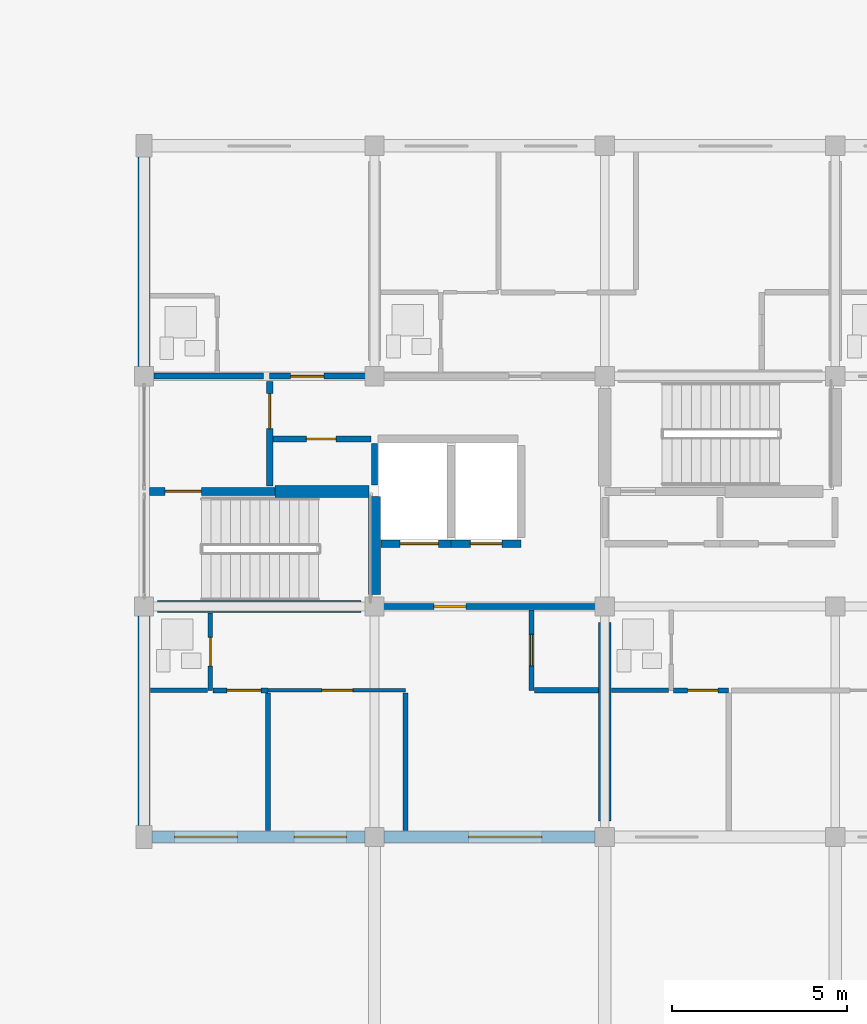
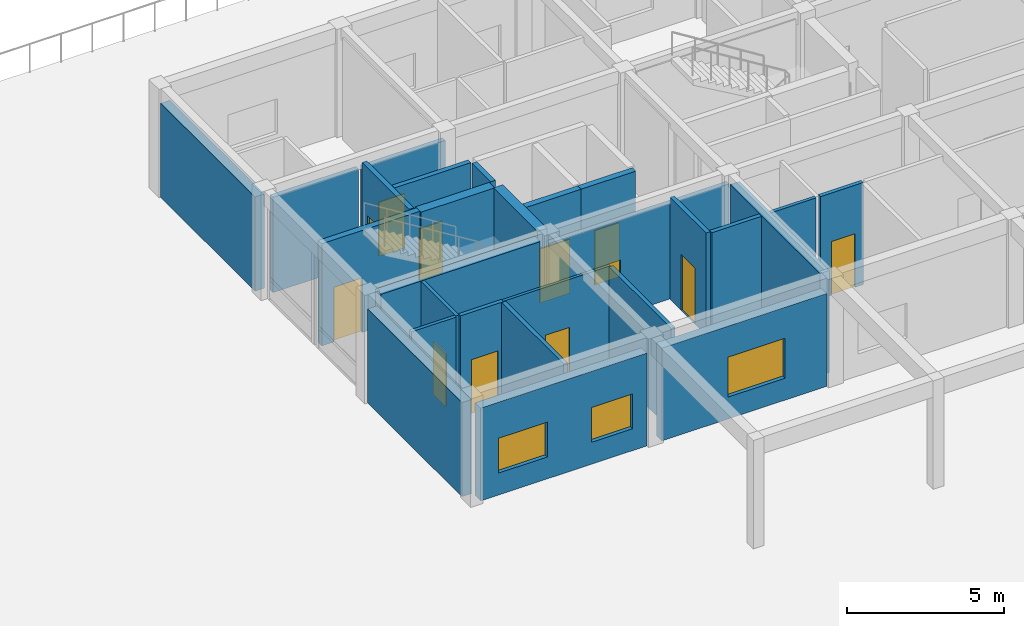
# One storey, part 75 of 92: 27 walls, 12 doors, 3 windows, 15 openings.
"""IFC4 building model written with IfcOpenShell, lengths in metres."""

from ifc_helpers import new_model, si_unit, direction, frame, frame_2d, origin, place, context, subcontext, project, spatial, rectangle, extrude, material, layer, layer_set, type_object, element, fill, save


model = new_model("IFC4")

# Units and contexts
model_context = context("Model", 3, precision=1e-05, world=origin(), true_north=direction((0.0, 1.0)))
body_context = subcontext(model_context, "Body", "Model", "MODEL_VIEW")
ifc_project = project(units=[si_unit("LENGTHUNIT", "METRE"), si_unit("AREAUNIT", "SQUARE_METRE"), si_unit("VOLUMEUNIT", "CUBIC_METRE"), si_unit("PLANEANGLEUNIT", "RADIAN"), si_unit("MASSUNIT", "GRAM", prefix="KILO")], contexts=[model_context])

# Site, building, storey
site_placement = place(None, origin())
site = spatial("IfcSite", under=ifc_project, at=site_placement, CompositionType="ELEMENT")
building_placement = place(site_placement, origin())
building = spatial("IfcBuilding", under=site, at=building_placement, Name="Kernevlak Ridge Housing Community", CompositionType="ELEMENT")
storey_placement = place(building_placement, frame((0.0, 0.0, 4.199951171875)))
storey = spatial("IfcBuildingStorey", under=building, at=storey_placement, Name="L01", CompositionType="ELEMENT", Elevation=4.199951171875)

# Wall, openings, windows
ifc_material_1 = material(Name="Concrete block masonry M10", Category="masonry")
ifc_layer_1 = layer(ifc_material_1, 0.340087890625, Name="Concrete block masonry M10")
ifc_layer_set_1 = layer_set([ifc_layer_1], Name="Concrete block masonry M10")
wall_type_1 = type_object("IfcWallType", Name="EW-04", PredefinedType="STANDARD", material=ifc_layer_set_1)
wall_1_placement = place(storey_placement, frame((119.625, 82.60009765625, 0.0), z_axis=(0.0, 0.0, 1.0), x_axis=(1.0, 0.0, 0.0)))
wall_1 = element("IfcWall", 1, at=wall_1_placement, inside=storey, type_object=wall_type_1, Name="Exterior wall EW-04 L01 309", PredefinedType="STANDARD", context=body_context, shape_type="SweptSolid", body=[
    extrude(rectangle(XDim=6.10009765625, YDim=0.340087890625, at=frame_2d((3.050048828125, 0.0))), origin(), (0.0, 0.0, 1.0), 3.60009765625),
])
opening_1_placement = place(wall_1_placement, frame((0.64990234375, 0.0, 0.85009765625)))
opening_1 = element("IfcOpeningElement", 2, at=opening_1_placement, cuts=wall_1, Name="Opening WT-03", PredefinedType="OPENING", context=body_context, shape_type="SweptSolid", body=[
    extrude(rectangle(XDim=1.800048828125, YDim=1.35009765625, at=frame_2d((0.89990234375, 0.675048828125))), frame((0.0, 0.179931640625, 0.0), z_axis=(0.0, -1.0, 0.0), x_axis=(1.0, 0.0, 0.0)), (0.0, 0.0, 1.0), 0.360107421875),
])
opening_2_placement = place(wall_1_placement, frame((4.074951171875, 0.0, 0.85009765625)))
opening_2 = element("IfcOpeningElement", 3, at=opening_2_placement, cuts=wall_1, Name="Opening WT-02", PredefinedType="OPENING", context=body_context, shape_type="SweptSolid", body=[
    extrude(rectangle(XDim=1.5, YDim=1.35009765625, at=frame_2d((0.75, 0.675048828125))), frame((0.0, 0.179931640625, 0.0), z_axis=(0.0, -1.0, 0.0), x_axis=(1.0, 0.0, 0.0)), (0.0, 0.0, 1.0), 0.360107421875),
])
ifc_material_2 = material(Name="Aluminium EN AW-6060 anodised and laminated glass", Category="aluminium")
window_type_1 = type_object("IfcWindowType", Name="WT-02", PartitioningType="SINGLE_PANEL", PredefinedType="WINDOW", material=ifc_material_2)
window_1_placement = place(opening_2_placement, origin())
window_1 = element("IfcWindow", 4, at=window_1_placement, inside=storey, type_object=window_type_1, Name="Window WT-02 L01 237", OverallHeight=1.35009765625, OverallWidth=1.5, PartitioningType="SINGLE_PANEL", PredefinedType="WINDOW", context=body_context, shape_type="SweptSolid", body=[
    extrude(rectangle(XDim=1.5, YDim=1.35009765625, at=frame_2d((0.75, 0.675048828125))), frame((0.0, 0.030029296875, 0.0), z_axis=(0.0, -1.0, 0.0), x_axis=(1.0, 0.0, 0.0)), (0.0, 0.0, 1.0), 0.06005859375),
])
fill(opening_2, window_1)
window_type_2 = type_object("IfcWindowType", Name="WT-03", PartitioningType="SINGLE_PANEL", PredefinedType="WINDOW", material=ifc_material_2)
window_2_placement = place(opening_1_placement, origin())
window_2 = element("IfcWindow", 5, at=window_2_placement, inside=storey, type_object=window_type_2, Name="Window WT-03 L01 236", OverallHeight=1.35009765625, OverallWidth=1.800048828125, PartitioningType="SINGLE_PANEL", PredefinedType="WINDOW", context=body_context, shape_type="SweptSolid", body=[
    extrude(rectangle(XDim=1.800048828125, YDim=1.35009765625, at=frame_2d((0.89990234375, 0.675048828125))), frame((0.0, 0.030029296875, 0.0), z_axis=(0.0, -1.0, 0.0), x_axis=(1.0, 0.0, 0.0)), (0.0, 0.0, 1.0), 0.06005859375),
])
fill(opening_1, window_2)

# Wall, opening, window
wall_2_placement = place(storey_placement, frame((126.27490234375, 82.60009765625, 0.0), z_axis=(0.0, 0.0, 1.0), x_axis=(1.0, 0.0, 0.0)))
wall_2 = element("IfcWall", 6, at=wall_2_placement, inside=storey, type_object=wall_type_1, Name="Exterior wall EW-04 L01 310", PredefinedType="STANDARD", context=body_context, shape_type="SweptSolid", body=[
    extrude(rectangle(XDim=6.050048828125, YDim=0.340087890625, at=frame_2d((3.02490234375, 0.0))), origin(), (0.0, 0.0, 1.0), 3.60009765625),
])
opening_3_placement = place(wall_2_placement, frame((2.4208984375, 0.0, 0.85009765625)))
opening_3 = element("IfcOpeningElement", 7, at=opening_3_placement, cuts=wall_2, Name="Opening WT-05", PredefinedType="OPENING", context=body_context, shape_type="SweptSolid", body=[
    extrude(rectangle(XDim=2.10009765625, YDim=1.550048828125, at=frame_2d((1.050048828125, 0.77490234375))), frame((0.0, 0.179931640625, 0.0), z_axis=(0.0, -1.0, 0.0), x_axis=(1.0, 0.0, 0.0)), (0.0, 0.0, 1.0), 0.360107421875),
])
window_type_3 = type_object("IfcWindowType", Name="WT-05", PartitioningType="SINGLE_PANEL", PredefinedType="WINDOW", material=ifc_material_2)
window_3_placement = place(opening_3_placement, origin())
window_3 = element("IfcWindow", 8, at=window_3_placement, inside=storey, type_object=window_type_3, Name="Window WT-05 L01 238", OverallHeight=1.550048828125, OverallWidth=2.10009765625, PartitioningType="SINGLE_PANEL", PredefinedType="WINDOW", context=body_context, shape_type="SweptSolid", body=[
    extrude(rectangle(XDim=2.10009765625, YDim=1.550048828125, at=frame_2d((1.050048828125, 0.77490234375))), frame((0.0, 0.030029296875, 0.0), z_axis=(0.0, -1.0, 0.0), x_axis=(1.0, 0.0, 0.0)), (0.0, 0.0, 1.0), 0.06005859375),
])
fill(opening_3, window_3)

# Walls
for number, where, z_axis, x_axis, name in (
    (9, (119.39990234375, 82.925048828125, 0.0), (0.0, 0.0, 1.0), (0.0, 1.0, 0.0), "Exterior wall EW-04 L01 319"),
    (10, (119.39990234375, 96.074951171875, 0.0), (0.0, 0.0, 1.0), (0.0, 1.0, 0.0), "Exterior wall EW-04 L01 320"),
):
    element("IfcWall", number, at=place(storey_placement, frame(where, z_axis=z_axis, x_axis=x_axis)), inside=storey, type_object=wall_type_1, Name=name, PredefinedType="STANDARD", context=body_context, shape_type="SweptSolid", body=[
        extrude(rectangle(XDim=6.0, YDim=0.340087890625, at=frame_2d((3.0, 0.0))), origin(), (0.0, 0.0, 1.0), 3.650146484375),
    ])

# Wall, opening, door
ifc_material_3 = material(Name="Concrete C35/45", Category="concrete")
ifc_layer_2 = layer(ifc_material_3, 0.22509765625, Name="Concrete C35/45")
ifc_layer_set_2 = layer_set([ifc_layer_2], Name="Concrete C35/45")
wall_type_2 = type_object("IfcWallType", Name="PW-01", PredefinedType="STANDARD", material=ifc_layer_set_2)
wall_3_placement = place(storey_placement, frame((119.550048828125, 92.5, 0.0), z_axis=(0.0, 0.0, 1.0), x_axis=(1.0, 0.0, 0.0)))
wall_3 = element("IfcWall", 11, at=wall_3_placement, inside=storey, type_object=wall_type_2, Name="Interior wall PW-01 WAL-INT-L01-1208", PredefinedType="STANDARD", context=body_context, shape_type="SweptSolid", body=[
    extrude(rectangle(XDim=3.599853515625, YDim=0.22509765625, at=frame_2d((1.7998046875, 0.0))), origin(), (0.0, 0.0, 1.0), 3.9599609375),
])
opening_4_placement = place(wall_3_placement, frame((0.449951171875, 0.0, 0.0)))
opening_4 = element("IfcOpeningElement", 12, at=opening_4_placement, cuts=wall_3, Name="Opening D612", PredefinedType="OPENING", context=body_context, shape_type="SweptSolid", body=[
    extrude(rectangle(XDim=1.0400390625, YDim=2.1201171875, at=frame_2d((0.52001953125, 1.06005859375))), frame((0.0, 0.12255859375, 0.0), z_axis=(0.0, -1.0, 0.0), x_axis=(1.0, 0.0, 0.0)), (0.0, 0.0, 1.0), 0.2451171875),
])
ifc_material_4 = material(Name="Fire-rated sheet steel leaf", Category="steel")
door_type_1 = type_object("IfcDoorType", Name="DT-16", OperationType="NOTDEFINED", PredefinedType="DOOR", material=ifc_material_4)
door_1_placement = place(opening_4_placement, origin())
door_1 = element("IfcDoor", 13, at=door_1_placement, inside=storey, type_object=door_type_1, Name="Block B Stair 1 fire door D612", OperationType="SINGLE_SWING_RIGHT", OverallHeight=2.1201171875, OverallWidth=1.0400390625, PredefinedType="DOOR", context=body_context, shape_type="SweptSolid", body=[
    extrude(rectangle(XDim=1.0400390625, YDim=2.1201171875, at=frame_2d((0.52001953125, 1.06005859375))), frame((0.0, 0.02490234375, 0.0), z_axis=(0.0, -1.0, 0.0), x_axis=(1.0, 0.0, 0.0)), (0.0, 0.0, 1.0), 0.050048828125),
])
fill(opening_4, door_1)

wall_4_placement = place(storey_placement, frame((126.18505859375, 91.0, 0.0), z_axis=(0.0, 0.0, 1.0), x_axis=(1.0, 0.0, 0.0)))
wall_4 = element("IfcWall", 14, at=wall_4_placement, inside=storey, type_object=wall_type_2, Name="Interior wall PW-01 WAL-INT-L01-1212", PredefinedType="STANDARD", context=body_context, shape_type="SweptSolid", body=[
    extrude(rectangle(XDim=2.014892578125, YDim=0.22509765625, at=frame_2d((1.00732421875, 0.0))), origin(), (0.0, 0.0, 1.0), 3.9599609375),
])
opening_5_placement = place(wall_4_placement, frame((0.550048828125, 0.0, 0.0)))
opening_5 = element("IfcOpeningElement", 15, at=opening_5_placement, cuts=wall_4, Name="Opening LD32", PredefinedType="OPENING", context=body_context, shape_type="SweptSolid", body=[
    extrude(rectangle(XDim=1.10009765625, YDim=2.10009765625, at=frame_2d((0.550048828125, 1.050048828125))), frame((0.0, 0.12255859375, 0.0), z_axis=(0.0, -1.0, 0.0), x_axis=(1.0, 0.0, 0.0)), (0.0, 0.0, 1.0), 0.2451171875),
])
ifc_material_5 = material(Name="Stainless steel EN 1.4401", Category="steel")
door_type_2 = type_object("IfcDoorType", Name="DT-LD1", OperationType="DOUBLE_DOOR_SLIDING", PredefinedType="DOOR", material=ifc_material_5)
door_2_placement = place(opening_5_placement, origin())
door_2 = element("IfcDoor", 16, at=door_2_placement, inside=storey, type_object=door_type_2, Name="Lift LF-B1 landing door LD32", OperationType="DOUBLE_DOOR_SLIDING", OverallHeight=2.10009765625, OverallWidth=1.10009765625, PredefinedType="DOOR", context=body_context, shape_type="SweptSolid", body=[
    extrude(rectangle(XDim=1.10009765625, YDim=2.10009765625, at=frame_2d((0.550048828125, 1.050048828125))), frame((0.0, 0.02490234375, 0.0), z_axis=(0.0, -1.0, 0.0), x_axis=(1.0, 0.0, 0.0)), (0.0, 0.0, 1.0), 0.050048828125),
])
fill(opening_5, door_2)

wall_5_placement = place(storey_placement, frame((128.199951171875, 91.0, 0.0), z_axis=(0.0, 0.0, 1.0), x_axis=(1.0, 0.0, 0.0)))
wall_5 = element("IfcWall", 17, at=wall_5_placement, inside=storey, type_object=wall_type_2, Name="Interior wall PW-01 WAL-INT-L01-1213", PredefinedType="STANDARD", context=body_context, shape_type="SweptSolid", body=[
    extrude(rectangle(XDim=2.0, YDim=0.22509765625, at=frame_2d((1.0, 0.0))), origin(), (0.0, 0.0, 1.0), 3.9599609375),
])
opening_6_placement = place(wall_5_placement, frame((0.550048828125, 0.0, 0.0)))
opening_6 = element("IfcOpeningElement", 18, at=opening_6_placement, cuts=wall_5, Name="Opening LD33", PredefinedType="OPENING", context=body_context, shape_type="SweptSolid", body=[
    extrude(rectangle(XDim=0.89990234375, YDim=2.10009765625, at=frame_2d((0.449951171875, 1.050048828125))), frame((0.0, 0.12255859375, 0.0), z_axis=(0.0, -1.0, 0.0), x_axis=(1.0, 0.0, 0.0)), (0.0, 0.0, 1.0), 0.2451171875),
])
door_type_3 = type_object("IfcDoorType", Name="DT-LD2", OperationType="DOUBLE_DOOR_SLIDING", PredefinedType="DOOR", material=ifc_material_5)
door_3_placement = place(opening_6_placement, origin())
door_3 = element("IfcDoor", 19, at=door_3_placement, inside=storey, type_object=door_type_3, Name="Lift LF-B2 landing door LD33", OperationType="DOUBLE_DOOR_SLIDING", OverallHeight=2.10009765625, OverallWidth=0.89990234375, PredefinedType="DOOR", context=body_context, shape_type="SweptSolid", body=[
    extrude(rectangle(XDim=0.89990234375, YDim=2.10009765625, at=frame_2d((0.449951171875, 1.050048828125))), frame((0.0, 0.02490234375, 0.0), z_axis=(0.0, -1.0, 0.0), x_axis=(1.0, 0.0, 0.0)), (0.0, 0.0, 1.0), 0.050048828125),
])
fill(opening_6, door_3)

ifc_layer_3 = layer(ifc_material_1, 0.175048828125, Name="Concrete block masonry M10")
ifc_layer_set_3 = layer_set([ifc_layer_3], Name="Concrete block masonry M10")
wall_type_3 = type_object("IfcWallType", Name="PW-02", PredefinedType="PARTITIONING", material=ifc_layer_set_3)
wall_6_placement = place(storey_placement, frame((123.0, 92.64990234375, 0.0), z_axis=(0.0, 0.0, 1.0), x_axis=(0.0, 1.0, 0.0)))
wall_6 = element("IfcWall", 20, at=wall_6_placement, inside=storey, type_object=wall_type_3, Name="Interior wall PW-02 WAL-INT-L01-1209", PredefinedType="PARTITIONING", context=body_context, shape_type="SweptSolid", body=[
    extrude(rectangle(XDim=3.0, YDim=0.175048828125, at=frame_2d((1.5, 0.0))), origin(), (0.0, 0.0, 1.0), 3.9599609375),
])
opening_7_placement = place(wall_6_placement, frame((1.64990234375, 0.0, 0.0)))
opening_7 = element("IfcOpeningElement", 21, at=opening_7_placement, cuts=wall_6, Name="Opening D613", PredefinedType="OPENING", context=body_context, shape_type="SweptSolid", body=[
    extrude(rectangle(XDim=1.0, YDim=2.10009765625, at=frame_2d((0.5, 1.050048828125))), frame((0.0, 0.097412109375, 0.0), z_axis=(0.0, -1.0, 0.0), x_axis=(1.0, 0.0, 0.0)), (0.0, 0.0, 1.0), 0.195068359375),
])
door_type_4 = type_object("IfcDoorType", Name="DT-05", OperationType="NOTDEFINED", PredefinedType="DOOR", material=ifc_material_4)
door_4_placement = place(opening_7_placement, origin())
door_4 = element("IfcDoor", 22, at=door_4_placement, inside=storey, type_object=door_type_4, Name="Block B Firefighting lobby 1 door D613", OperationType="SINGLE_SWING_LEFT", OverallHeight=2.10009765625, OverallWidth=1.0, PredefinedType="DOOR", context=body_context, shape_type="SweptSolid", body=[
    extrude(rectangle(XDim=1.0, YDim=2.10009765625, at=frame_2d((0.5, 1.050048828125))), frame((0.0, 0.02490234375, 0.0), z_axis=(0.0, -1.0, 0.0), x_axis=(1.0, 0.0, 0.0)), (0.0, 0.0, 1.0), 0.050048828125),
])
fill(opening_7, door_4)

wall_7_placement = place(storey_placement, frame((123.10009765625, 94.0, 0.0), z_axis=(0.0, 0.0, 1.0), x_axis=(1.0, 0.0, 0.0)))
wall_7 = element("IfcWall", 23, at=wall_7_placement, inside=storey, type_object=wall_type_3, Name="Interior wall PW-02 WAL-INT-L01-1210", PredefinedType="PARTITIONING", context=body_context, shape_type="SweptSolid", body=[
    extrude(rectangle(XDim=2.7998046875, YDim=0.175048828125, at=frame_2d((1.39990234375, 0.0))), origin(), (0.0, 0.0, 1.0), 3.9599609375),
])
opening_8_placement = place(wall_7_placement, frame((0.949951171875, 0.0, 0.0)))
opening_8 = element("IfcOpeningElement", 24, at=opening_8_placement, cuts=wall_7, Name="Opening D614", PredefinedType="OPENING", context=body_context, shape_type="SweptSolid", body=[
    extrude(rectangle(XDim=0.85009765625, YDim=2.0, at=frame_2d((0.425048828125, 1.0))), frame((0.0, 0.097412109375, 0.0), z_axis=(0.0, -1.0, 0.0), x_axis=(1.0, 0.0, 0.0)), (0.0, 0.0, 1.0), 0.195068359375),
])
door_type_5 = type_object("IfcDoorType", Name="DT-07", OperationType="NOTDEFINED", PredefinedType="DOOR", material=ifc_material_4)
door_5_placement = place(opening_8_placement, origin())
door_5 = element("IfcDoor", 25, at=door_5_placement, inside=storey, type_object=door_type_5, Name="Block B Riser shaft door D614", OperationType="SINGLE_SWING_RIGHT", OverallHeight=2.0, OverallWidth=0.85009765625, PredefinedType="DOOR", context=body_context, shape_type="SweptSolid", body=[
    extrude(rectangle(XDim=0.85009765625, YDim=2.0, at=frame_2d((0.425048828125, 1.0))), frame((0.0, 0.02490234375, 0.0), z_axis=(0.0, -1.0, 0.0), x_axis=(1.0, 0.0, 0.0)), (0.0, 0.0, 1.0), 0.050048828125),
])
fill(opening_8, door_5)

# Wall
wall_8_placement = place(storey_placement, frame((126.0, 92.679931640625, 0.0), z_axis=(0.0, 0.0, 1.0), x_axis=(0.0, 1.0, 0.0)))
element("IfcWall", 26, at=wall_8_placement, inside=storey, type_object=wall_type_3, Name="Interior wall PW-02 WAL-INT-L01-1211", PredefinedType="PARTITIONING", context=body_context, shape_type="SweptSolid", body=[
    extrude(rectangle(XDim=1.190185546875, YDim=0.175048828125, at=frame_2d((0.59521484375, 0.0))), origin(), (0.0, 0.0, 1.0), 3.9599609375),
])

# Wall, opening, door
wall_9_placement = place(storey_placement, frame((126.0, 89.199951171875, 0.0), z_axis=(0.0, 0.0, 1.0), x_axis=(1.0, 0.0, 0.0)))
wall_9 = element("IfcWall", 27, at=wall_9_placement, inside=storey, type_object=wall_type_3, Name="Interior wall PW-02 WAL-INT-L01-1229", PredefinedType="PARTITIONING", context=body_context, shape_type="SweptSolid", body=[
    extrude(rectangle(XDim=6.60009765625, YDim=0.175048828125, at=frame_2d((3.300048828125, 0.0))), origin(), (0.0, 0.0, 1.0), 3.699951171875),
])
opening_9_placement = place(wall_9_placement, frame((1.699951171875, 0.0, 0.0)))
opening_9 = element("IfcOpeningElement", 28, at=opening_9_placement, cuts=wall_9, Name="Opening D620", PredefinedType="OPENING", context=body_context, shape_type="SweptSolid", body=[
    extrude(rectangle(XDim=0.919921875, YDim=2.139892578125, at=frame_2d((0.4599609375, 1.06982421875))), frame((0.0, 0.097412109375, 0.0), z_axis=(0.0, -1.0, 0.0), x_axis=(1.0, 0.0, 0.0)), (0.0, 0.0, 1.0), 0.195068359375),
])
ifc_material_6 = material(Name="Hardwood timber solid-core fire leaf", Category="wood")
door_type_6 = type_object("IfcDoorType", Name="DT-20", OperationType="NOTDEFINED", PredefinedType="DOOR", material=ifc_material_6)
door_6_placement = place(opening_9_placement, origin())
door_6 = element("IfcDoor", 29, at=door_6_placement, inside=storey, type_object=door_type_6, Name="Flat B0111 entrance fire door D620", OperationType="SINGLE_SWING_RIGHT", OverallHeight=2.139892578125, OverallWidth=0.919921875, PredefinedType="DOOR", context=body_context, shape_type="SweptSolid", body=[
    extrude(rectangle(XDim=0.919921875, YDim=2.139892578125, at=frame_2d((0.4599609375, 1.06982421875))), frame((0.0, 0.02490234375, 0.0), z_axis=(0.0, -1.0, 0.0), x_axis=(1.0, 0.0, 0.0)), (0.0, 0.0, 1.0), 0.050048828125),
])
fill(opening_9, door_6)

# Wall
wall_10_placement = place(storey_placement, frame((119.679931640625, 95.800048828125, 0.0), z_axis=(0.0, 0.0, 1.0), x_axis=(1.0, 0.0, 0.0)))
element("IfcWall", 30, at=wall_10_placement, inside=storey, type_object=wall_type_3, Name="Interior wall PW-02 WAL-INT-L01-1247", PredefinedType="PARTITIONING", context=body_context, shape_type="SweptSolid", body=[
    extrude(rectangle(XDim=3.14013671875, YDim=0.175048828125, at=frame_2d((1.570068359375, 0.0))), origin(), (0.0, 0.0, 1.0), 3.699951171875),
])

# Wall, opening, door
wall_11_placement = place(storey_placement, frame((123.0, 95.800048828125, 0.0), z_axis=(0.0, 0.0, 1.0), x_axis=(1.0, 0.0, 0.0)))
wall_11 = element("IfcWall", 31, at=wall_11_placement, inside=storey, type_object=wall_type_3, Name="Interior wall PW-02 WAL-INT-L01-1248", PredefinedType="PARTITIONING", context=body_context, shape_type="SweptSolid", body=[
    extrude(rectangle(XDim=3.0, YDim=0.175048828125, at=frame_2d((1.5, 0.0))), origin(), (0.0, 0.0, 1.0), 3.699951171875),
])
opening_10_placement = place(wall_11_placement, frame((0.60009765625, 0.0, 0.0)))
opening_10 = element("IfcOpeningElement", 32, at=opening_10_placement, cuts=wall_11, Name="Opening D630", PredefinedType="OPENING", context=body_context, shape_type="SweptSolid", body=[
    extrude(rectangle(XDim=0.949951171875, YDim=2.10009765625, at=frame_2d((0.47509765625, 1.050048828125))), frame((0.0, 0.097412109375, 0.0), z_axis=(0.0, -1.0, 0.0), x_axis=(1.0, 0.0, 0.0)), (0.0, 0.0, 1.0), 0.195068359375),
])
door_type_7 = type_object("IfcDoorType", Name="DT-01", OperationType="NOTDEFINED", PredefinedType="DOOR", material=ifc_material_6)
door_7_placement = place(opening_10_placement, origin())
door_7 = element("IfcDoor", 33, at=door_7_placement, inside=storey, type_object=door_type_7, Name="Flat B0121 entrance fire door D630", OperationType="SINGLE_SWING_RIGHT", OverallHeight=2.10009765625, OverallWidth=0.949951171875, PredefinedType="DOOR", context=body_context, shape_type="SweptSolid", body=[
    extrude(rectangle(XDim=0.949951171875, YDim=2.10009765625, at=frame_2d((0.47509765625, 1.050048828125))), frame((0.0, 0.02490234375, 0.0), z_axis=(0.0, -1.0, 0.0), x_axis=(1.0, 0.0, 0.0)), (0.0, 0.0, 1.0), 0.050048828125),
])
fill(opening_10, door_7)

ifc_layer_4 = layer(ifc_material_1, 0.14501953125, Name="Concrete block masonry M10")
ifc_layer_set_4 = layer_set([ifc_layer_4], Name="Concrete block masonry M10")
wall_type_4 = type_object("IfcWallType", Name="PW-03", PredefinedType="PARTITIONING", material=ifc_layer_set_4)
wall_12_placement = place(storey_placement, frame((121.37255859375, 86.800048828125, 0.0), z_axis=(0.0, 0.0, 1.0), x_axis=(1.0, 0.0, 0.0)))
wall_12 = element("IfcWall", 34, at=wall_12_placement, inside=storey, type_object=wall_type_4, Name="Interior wall PW-03 WAL-INT-L01-1234", PredefinedType="PARTITIONING", context=body_context, shape_type="SweptSolid", body=[
    extrude(rectangle(XDim=1.577392578125, YDim=0.14501953125, at=frame_2d((0.78857421875, 0.0))), origin(), (0.0, 0.0, 1.0), 3.9599609375),
])
opening_11_placement = place(wall_12_placement, frame((0.39990234375, 0.0, 0.0)))
opening_11 = element("IfcOpeningElement", 35, at=opening_11_placement, cuts=wall_12, Name="Opening D623", PredefinedType="OPENING", context=body_context, shape_type="SweptSolid", body=[
    extrude(rectangle(XDim=0.97998046875, YDim=2.1201171875, at=frame_2d((0.489990234375, 1.06005859375))), frame((0.0, 0.08251953125, 0.0), z_axis=(0.0, -1.0, 0.0), x_axis=(1.0, 0.0, 0.0)), (0.0, 0.0, 1.0), 0.1650390625),
])
ifc_material_7 = material(Name="Hardwood timber leaf", Category="wood")
door_type_8 = type_object("IfcDoorType", Name="DT-24", OperationType="NOTDEFINED", PredefinedType="DOOR", material=ifc_material_7)
door_8_placement = place(opening_11_placement, origin())
door_8 = element("IfcDoor", 36, at=door_8_placement, inside=storey, type_object=door_type_8, Name="Flat B0111 bedroom door D623", OperationType="SINGLE_SWING_LEFT", OverallHeight=2.1201171875, OverallWidth=0.97998046875, PredefinedType="DOOR", context=body_context, shape_type="SweptSolid", body=[
    extrude(rectangle(XDim=0.97998046875, YDim=2.1201171875, at=frame_2d((0.489990234375, 1.06005859375))), frame((0.0, 0.02490234375, 0.0), z_axis=(0.0, -1.0, 0.0), x_axis=(1.0, 0.0, 0.0)), (0.0, 0.0, 1.0), 0.050048828125),
])
fill(opening_11, door_8)

# Walls
wall_13_placement = place(storey_placement, frame((122.949951171875, 86.717529296875, 0.0), z_axis=(0.0, 0.0, 1.0), x_axis=(0.0, -1.0, 0.0)))
element("IfcWall", 37, at=wall_13_placement, inside=storey, type_object=wall_type_4, Name="Interior wall PW-03 WAL-INT-L01-1235", PredefinedType="PARTITIONING", context=body_context, shape_type="SweptSolid", body=[
    extrude(rectangle(XDim=3.9375, YDim=0.14501953125, at=frame_2d((1.96875, 0.0))), origin(), (0.0, 0.0, 1.0), 3.9599609375),
])
wall_14_placement = place(storey_placement, frame((126.89208984375, 86.719970703125, 0.0), z_axis=(0.0, 0.0, 1.0), x_axis=(0.0, -1.0, 0.0)))
element("IfcWall", 38, at=wall_14_placement, inside=storey, type_object=wall_type_4, Name="Interior wall PW-03 WAL-INT-L01-1237", PredefinedType="PARTITIONING", context=body_context, shape_type="SweptSolid", body=[
    extrude(rectangle(XDim=3.93994140625, YDim=0.14501953125, at=frame_2d((1.969970703125, 0.0))), origin(), (0.0, 0.0, 1.0), 3.9599609375),
])

# Wall, opening, door
wall_15_placement = place(storey_placement, frame((134.572509765625, 86.800048828125, 0.0), z_axis=(0.0, 0.0, 1.0), x_axis=(1.0, 0.0, 0.0)))
wall_15 = element("IfcWall", 39, at=wall_15_placement, inside=storey, type_object=wall_type_4, Name="Interior wall PW-03 WAL-INT-L01-1243", PredefinedType="PARTITIONING", context=body_context, shape_type="SweptSolid", body=[
    extrude(rectangle(XDim=1.577392578125, YDim=0.14501953125, at=frame_2d((0.78857421875, 0.0))), origin(), (0.0, 0.0, 1.0), 3.9599609375),
])
opening_12_placement = place(wall_15_placement, frame((0.39990234375, 0.0, 0.0)))
opening_12 = element("IfcOpeningElement", 40, at=opening_12_placement, cuts=wall_15, Name="Opening D628", PredefinedType="OPENING", context=body_context, shape_type="SweptSolid", body=[
    extrude(rectangle(XDim=0.8701171875, YDim=2.080078125, at=frame_2d((0.43505859375, 1.0400390625))), frame((0.0, 0.08251953125, 0.0), z_axis=(0.0, -1.0, 0.0), x_axis=(1.0, 0.0, 0.0)), (0.0, 0.0, 1.0), 0.1650390625),
])
door_type_9 = type_object("IfcDoorType", Name="DT-32", OperationType="NOTDEFINED", PredefinedType="DOOR", material=ifc_material_7)
door_9_placement = place(opening_12_placement, origin())
door_9 = element("IfcDoor", 41, at=door_9_placement, inside=storey, type_object=door_type_9, Name="Flat B0112 bedroom door D628", OperationType="SINGLE_SWING_RIGHT", OverallHeight=2.080078125, OverallWidth=0.8701171875, PredefinedType="DOOR", context=body_context, shape_type="SweptSolid", body=[
    extrude(rectangle(XDim=0.8701171875, YDim=2.080078125, at=frame_2d((0.43505859375, 1.0400390625))), frame((0.0, 0.02490234375, 0.0), z_axis=(0.0, -1.0, 0.0), x_axis=(1.0, 0.0, 0.0)), (0.0, 0.0, 1.0), 0.050048828125),
])
fill(opening_12, door_9)

ifc_material_8 = material(Name="Gypsum plasterboard EN 520", Category="gypsum")
ifc_layer_5 = layer(ifc_material_8, 0.125, Name="Gypsum plasterboard EN 520")
ifc_layer_set_5 = layer_set([ifc_layer_5], Name="Gypsum plasterboard EN 520")
wall_type_5 = type_object("IfcWallType", Name="PW-04", PredefinedType="PARTITIONING", material=ifc_layer_set_5)
wall_16_placement = place(storey_placement, frame((121.300048828125, 89.014892578125, 0.0), z_axis=(0.0, 0.0, 1.0), x_axis=(0.0, -1.0, 0.0)))
wall_16 = element("IfcWall", 42, at=wall_16_placement, inside=storey, type_object=wall_type_5, Name="Interior wall PW-04 WAL-INT-L01-1230", PredefinedType="PARTITIONING", context=body_context, shape_type="SweptSolid", body=[
    extrude(rectangle(XDim=2.21484375, YDim=0.125, at=frame_2d((1.107421875, 0.0))), origin(), (0.0, 0.0, 1.0), 3.9599609375),
])
opening_13_placement = place(wall_16_placement, frame((0.699951171875, 0.0, 0.0)))
opening_13 = element("IfcOpeningElement", 43, at=opening_13_placement, cuts=wall_16, Name="Opening D621", PredefinedType="OPENING", context=body_context, shape_type="SweptSolid", body=[
    extrude(rectangle(XDim=0.820068359375, YDim=2.050048828125, at=frame_2d((0.41015625, 1.02490234375))), frame((0.0, 0.072509765625, 0.0), z_axis=(0.0, -1.0, 0.0), x_axis=(1.0, 0.0, 0.0)), (0.0, 0.0, 1.0), 0.14501953125),
])
ifc_material_9 = material(Name="Hardwood timber moisture-resistant leaf", Category="wood")
door_type_10 = type_object("IfcDoorType", Name="DT-30", OperationType="NOTDEFINED", PredefinedType="DOOR", material=ifc_material_9)
door_10_placement = place(opening_13_placement, origin())
door_10 = element("IfcDoor", 44, at=door_10_placement, inside=storey, type_object=door_type_10, Name="Flat B0111 bathroom door D621", OperationType="SINGLE_SWING_LEFT", OverallHeight=2.050048828125, OverallWidth=0.820068359375, PredefinedType="DOOR", context=body_context, shape_type="SweptSolid", body=[
    extrude(rectangle(XDim=0.820068359375, YDim=2.050048828125, at=frame_2d((0.41015625, 1.02490234375))), frame((0.0, 0.02490234375, 0.0), z_axis=(0.0, -1.0, 0.0), x_axis=(1.0, 0.0, 0.0)), (0.0, 0.0, 1.0), 0.050048828125),
])
fill(opening_13, door_10)

# Walls
wall_17_placement = place(storey_placement, frame((119.580078125, 86.800048828125, 0.0), z_axis=(0.0, 0.0, 1.0), x_axis=(1.0, 0.0, 0.0)))
element("IfcWall", 45, at=wall_17_placement, inside=storey, type_object=wall_type_5, Name="Interior wall PW-04 WAL-INT-L01-1231", PredefinedType="PARTITIONING", context=body_context, shape_type="SweptSolid", body=[
    extrude(rectangle(XDim=1.639892578125, YDim=0.125, at=frame_2d((0.81982421875, 0.0))), origin(), (0.0, 0.0, 1.0), 3.9599609375),
])
wall_18_placement = place(storey_placement, frame((132.784912109375, 86.800048828125, 0.0), z_axis=(0.0, 0.0, 1.0), x_axis=(1.0, 0.0, 0.0)))
element("IfcWall", 46, at=wall_18_placement, inside=storey, type_object=wall_type_5, Name="Interior wall PW-04 WAL-INT-L01-1240", PredefinedType="PARTITIONING", context=body_context, shape_type="SweptSolid", body=[
    extrude(rectangle(XDim=1.635009765625, YDim=0.125, at=frame_2d((0.8173828125, 0.0))), origin(), (0.0, 0.0, 1.0), 3.9599609375),
])

# Wall, opening, door
ifc_layer_6 = layer(ifc_material_8, 0.155029296875, Name="Gypsum plasterboard EN 520")
ifc_layer_set_6 = layer_set([ifc_layer_6], Name="Gypsum plasterboard EN 520")
wall_type_6 = type_object("IfcWallType", Name="PW-05", PredefinedType="PARTITIONING", material=ifc_layer_set_6)
wall_19_placement = place(storey_placement, frame((130.5, 89.1025390625, 0.0), z_axis=(0.0, 0.0, 1.0), x_axis=(0.0, -1.0, 0.0)))
wall_19 = element("IfcWall", 47, at=wall_19_placement, inside=storey, type_object=wall_type_6, Name="Interior wall PW-05 WAL-INT-L01-1232", PredefinedType="PARTITIONING", context=body_context, shape_type="SweptSolid", body=[
    extrude(rectangle(XDim=2.302490234375, YDim=0.155029296875, at=frame_2d((1.1513671875, 0.0))), origin(), (0.0, 0.0, 1.0), 3.9599609375),
])
opening_14_placement = place(wall_19_placement, frame((0.699951171875, 0.0, 0.0)))
opening_14 = element("IfcOpeningElement", 48, at=opening_14_placement, cuts=wall_19, Name="Opening D622", PredefinedType="OPENING", context=body_context, shape_type="SweptSolid", body=[
    extrude(rectangle(XDim=0.89990234375, YDim=2.159912109375, at=frame_2d((0.449951171875, 1.080078125))), frame((0.0, 0.08740234375, 0.0), z_axis=(0.0, -1.0, 0.0), x_axis=(1.0, 0.0, 0.0)), (0.0, 0.0, 1.0), 0.175048828125),
])
door_type_11 = type_object("IfcDoorType", Name="DT-22", OperationType="NOTDEFINED", PredefinedType="DOOR", material=ifc_material_7)
door_11_placement = place(opening_14_placement, origin())
door_11 = element("IfcDoor", 49, at=door_11_placement, inside=storey, type_object=door_type_11, Name="Flat B0111 kitchen door D622", OperationType="SINGLE_SWING_RIGHT", OverallHeight=2.159912109375, OverallWidth=0.89990234375, PredefinedType="DOOR", context=body_context, shape_type="SweptSolid", body=[
    extrude(rectangle(XDim=0.89990234375, YDim=2.159912109375, at=frame_2d((0.449951171875, 1.080078125))), frame((0.0, 0.02490234375, 0.0), z_axis=(0.0, -1.0, 0.0), x_axis=(1.0, 0.0, 0.0)), (0.0, 0.0, 1.0), 0.050048828125),
])
fill(opening_14, door_11)

# Wall
wall_20_placement = place(storey_placement, frame((130.58740234375, 86.800048828125, 0.0), z_axis=(0.0, 0.0, 1.0), x_axis=(1.0, 0.0, 0.0)))
element("IfcWall", 50, at=wall_20_placement, inside=storey, type_object=wall_type_6, Name="Interior wall PW-05 WAL-INT-L01-1233", PredefinedType="PARTITIONING", context=body_context, shape_type="SweptSolid", body=[
    extrude(rectangle(XDim=1.82763671875, YDim=0.155029296875, at=frame_2d((0.913818359375, 0.0))), origin(), (0.0, 0.0, 1.0), 3.9599609375),
])

# Wall, opening, door
ifc_layer_7 = layer(ifc_material_8, 0.10498046875, Name="Gypsum plasterboard EN 520")
ifc_layer_set_7 = layer_set([ifc_layer_7], Name="Gypsum plasterboard EN 520")
wall_type_7 = type_object("IfcWallType", Name="PW-06", PredefinedType="PARTITIONING", material=ifc_layer_set_7)
wall_21_placement = place(storey_placement, frame((122.949951171875, 86.800048828125, 0.0), z_axis=(0.0, 0.0, 1.0), x_axis=(1.0, 0.0, 0.0)))
wall_21 = element("IfcWall", 51, at=wall_21_placement, inside=storey, type_object=wall_type_7, Name="Interior wall PW-06 WAL-INT-L01-1236", PredefinedType="PARTITIONING", context=body_context, shape_type="SweptSolid", body=[
    extrude(rectangle(XDim=3.942138671875, YDim=0.10498046875, at=frame_2d((1.97119140625, 0.0))), origin(), (0.0, 0.0, 1.0), 3.9599609375),
])
opening_15_placement = place(wall_21_placement, frame((1.5458984375, 0.0, 0.0)))
opening_15 = element("IfcOpeningElement", 52, at=opening_15_placement, cuts=wall_21, Name="Opening D624", PredefinedType="OPENING", context=body_context, shape_type="SweptSolid", body=[
    extrude(rectangle(XDim=0.8798828125, YDim=2.10009765625, at=frame_2d((0.43994140625, 1.050048828125))), frame((0.0, 0.0625, 0.0), z_axis=(0.0, -1.0, 0.0), x_axis=(1.0, 0.0, 0.0)), (0.0, 0.0, 1.0), 0.125),
])
door_type_12 = type_object("IfcDoorType", Name="DT-25", OperationType="NOTDEFINED", PredefinedType="DOOR", material=ifc_material_7)
door_12_placement = place(opening_15_placement, origin())
door_12 = element("IfcDoor", 53, at=door_12_placement, inside=storey, type_object=door_type_12, Name="Flat B0111 bedroom door D624", OperationType="SINGLE_SWING_RIGHT", OverallHeight=2.10009765625, OverallWidth=0.8798828125, PredefinedType="DOOR", context=body_context, shape_type="SweptSolid", body=[
    extrude(rectangle(XDim=0.8798828125, YDim=2.10009765625, at=frame_2d((0.43994140625, 1.050048828125))), frame((0.0, 0.02490234375, 0.0), z_axis=(0.0, -1.0, 0.0), x_axis=(1.0, 0.0, 0.0)), (0.0, 0.0, 1.0), 0.050048828125),
])
fill(opening_15, door_12)

# Walls
ifc_material_10 = material(Name="Concrete C40/50", Category="concrete")
ifc_layer_8 = layer(ifc_material_10, 0.35009765625, Name="Concrete C40/50")
ifc_layer_set_8 = layer_set([ifc_layer_8], Name="Concrete C40/50")
wall_type_8 = type_object("IfcWallType", Name="SW-01", PredefinedType="SHEAR", material=ifc_layer_set_8)
wall_22_placement = place(storey_placement, frame((119.780029296875, 89.199951171875, 0.0), z_axis=(0.0, 0.0, 1.0), x_axis=(1.0, 0.0, 0.0)))
element("IfcWall", 54, at=wall_22_placement, inside=storey, type_object=wall_type_8, Name="Shear wall SW-01 Block B L01 221", PredefinedType="SHEAR", context=body_context, shape_type="SweptSolid", body=[
    extrude(rectangle(XDim=5.840087890625, YDim=0.35009765625, at=frame_2d((2.919921875, 0.0))), origin(), (0.0, 0.0, 1.0), 3.9599609375),
])
wall_23_placement = place(storey_placement, frame((123.14990234375, 92.5, 0.0), z_axis=(0.0, 0.0, 1.0), x_axis=(1.0, 0.0, 0.0)))
element("IfcWall", 55, at=wall_23_placement, inside=storey, type_object=wall_type_8, Name="Shear wall SW-01 Block B L01 222", PredefinedType="SHEAR", context=body_context, shape_type="SweptSolid", body=[
    extrude(rectangle(XDim=2.7001953125, YDim=0.35009765625, at=frame_2d((1.35009765625, 0.0))), origin(), (0.0, 0.0, 1.0), 3.9599609375),
])
wall_24_placement = place(storey_placement, frame((126.0, 89.550048828125, 0.0), z_axis=(0.0, 0.0, 1.0), x_axis=(0.0, 1.0, 0.0)))
element("IfcWall", 56, at=wall_24_placement, inside=storey, type_object=wall_type_8, Name="Shear wall SW-01 Block B L01 223", PredefinedType="SHEAR", context=body_context, shape_type="SweptSolid", body=[
    extrude(rectangle(XDim=2.800048828125, YDim=0.35009765625, at=frame_2d((1.39990234375, 0.0))), origin(), (0.0, 0.0, 1.0), 3.9599609375),
])
wall_25_placement = place(storey_placement, frame((132.60009765625, 83.050048828125, 0.0), z_axis=(0.0, 0.0, 1.0), x_axis=(0.0, 1.0, 0.0)))
element("IfcWall", 57, at=wall_25_placement, inside=storey, type_object=wall_type_8, Name="Shear wall SW-01 Block B L01 228", PredefinedType="SHEAR", context=body_context, shape_type="SweptSolid", body=[
    extrude(rectangle(XDim=5.699951171875, YDim=0.35009765625, at=frame_2d((2.85009765625, 0.0))), origin(), (0.0, 0.0, 1.0), 3.9599609375),
])

save(model, "model.ifc")
